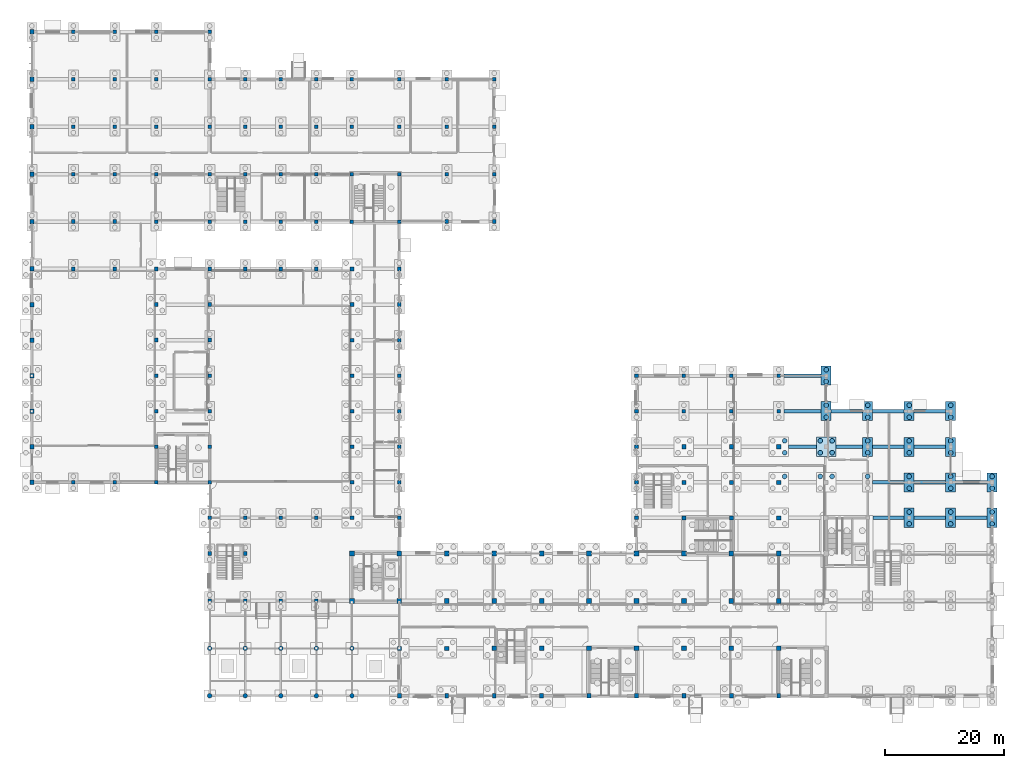
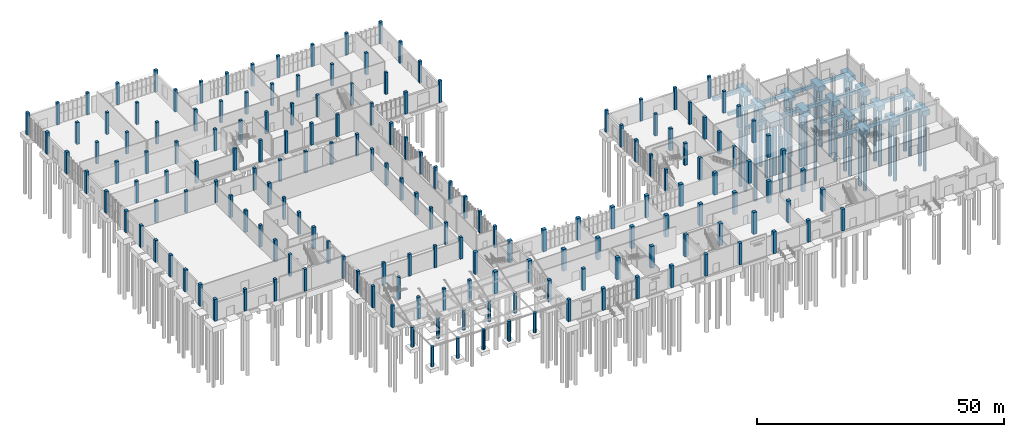
# One storey, part 5 of 69: 175 columns, 38 piles, 30 footings.
"""IFC4 building model written with IfcOpenShell, lengths in metres."""

from ifc_helpers import new_model, si_unit, direction, frame, origin, origin_2d, place, context, subcontext, project, spatial, rectangle, circle, extrude, material, material_profile, profile_set, type_object, element, save


model = new_model("IFC4")

# Units and contexts
model_context = context("Model", 3, precision=1e-05, world=origin(), true_north=direction((0.0, 1.0)))
body_context = subcontext(model_context, "Body", "Model", "MODEL_VIEW")
ifc_project = project(units=[si_unit("LENGTHUNIT", "METRE"), si_unit("AREAUNIT", "SQUARE_METRE"), si_unit("VOLUMEUNIT", "CUBIC_METRE"), si_unit("PLANEANGLEUNIT", "RADIAN"), si_unit("MASSUNIT", "GRAM", prefix="KILO")], contexts=[model_context])

# Site, building, storey
site_placement = place(None, origin())
site = spatial("IfcSite", under=ifc_project, at=site_placement, CompositionType="ELEMENT")
building_placement = place(site_placement, origin())
building = spatial("IfcBuilding", under=site, at=building_placement, Name="Solvane Community Centre", CompositionType="ELEMENT")
storey_placement = place(building_placement, origin())
storey = spatial("IfcBuildingStorey", under=building, at=storey_placement, Name="L00", CompositionType="ELEMENT", Elevation=0.0)

# Piles
ifc_material_1 = material(Name="Concrete C28/35", Category="concrete")
ifc_material_profile_1 = material_profile(ifc_material_1, circle(Radius=0.39990234375, at=origin_2d()), Name="PILE D800")
ifc_profile_set_1 = profile_set([ifc_material_profile_1], Name="Concrete C28/35")
pile_type = type_object("IfcPileType", Name="Bored Saprolite Pile D800", PredefinedType="BORED", material=ifc_profile_set_1)
for number, where, z_axis, x_axis, name in (
    (1, (133.0, 43.0, -1.47998046875), (0.0, 0.0, -1.0), (1.0, 0.0, 0.0), "Bored Pile PILE-19-F-4"),
    (2, (133.0, 47.0, -1.47998046875), (0.0, 0.0, -1.0), (1.0, 0.0, 0.0), "Bored Pile PILE-19-G-2"),
    (3, (133.0, 49.0, -1.47998046875), (0.0, 0.0, -1.0), (1.0, 0.0, 0.0), "Bored Pile PILE-19-G-4"),
    (4, (139.0, 43.0, -1.47998046875), (0.0, 0.0, -1.0), (1.0, 0.0, 0.0), "Bored Pile PILE-20-F-3"),
    (5, (141.0, 43.0, -1.47998046875), (0.0, 0.0, -1.0), (1.0, 0.0, 0.0), "Bored Pile PILE-20-F-4"),
    (6, (139.0, 47.0, -1.47998046875), (0.0, 0.0, -1.0), (1.0, 0.0, 0.0), "Bored Pile PILE-20-G-1"),
    (7, (141.0, 47.0, -1.47998046875), (0.0, 0.0, -1.0), (1.0, 0.0, 0.0), "Bored Pile PILE-20-G-2"),
    (8, (139.0, 49.0, -1.47998046875), (0.0, 0.0, -1.0), (1.0, 0.0, 0.0), "Bored Pile PILE-20-G-3"),
    (9, (141.0, 49.0, -1.47998046875), (0.0, 0.0, -1.0), (1.0, 0.0, 0.0), "Bored Pile PILE-20-G-4"),
    (10, (140.0, 53.0, -1.429931640625), (0.0, 0.0, -1.0), (1.0, 0.0, 0.0), "Bored Pile PILE-20-H-1"),
    (11, (140.0, 55.0, -1.429931640625), (0.0, 0.0, -1.0), (1.0, 0.0, 0.0), "Bored Pile PILE-20-H-2"),
    (12, (140.0, 59.0, -1.429931640625), (0.0, 0.0, -1.0), (1.0, 0.0, 0.0), "Bored Pile PILE-20-J-1"),
    (13, (140.0, 61.0, -1.429931640625), (0.0, 0.0, -1.0), (1.0, 0.0, 0.0), "Bored Pile PILE-20-J-2"),
    (14, (147.0, 43.0, -1.3798828125), (0.0, 0.0, -1.0), (1.0, 0.0, 0.0), "Bored Pile PILE-21-F-2"),
    (15, (147.0, 47.0, -1.3798828125), (0.0, 0.0, -1.0), (1.0, 0.0, 0.0), "Bored Pile PILE-21-G-1"),
    (16, (147.0, 49.0, -1.3798828125), (0.0, 0.0, -1.0), (1.0, 0.0, 0.0), "Bored Pile PILE-21-G-2"),
    (17, (147.0, 53.0, -1.3798828125), (0.0, 0.0, -1.0), (1.0, 0.0, 0.0), "Bored Pile PILE-21-H-1"),
    (18, (147.0, 55.0, -1.3798828125), (0.0, 0.0, -1.0), (1.0, 0.0, 0.0), "Bored Pile PILE-21-H-2"),
    (19, (154.0, 35.0, -1.429931640625), (0.0, 0.0, -1.0), (1.0, 0.0, 0.0), "Bored Pile PILE-22-E-1"),
    (20, (154.0, 37.0, -1.429931640625), (0.0, 0.0, -1.0), (1.0, 0.0, 0.0), "Bored Pile PILE-22-E-2"),
    (21, (154.0, 41.0, -1.3798828125), (0.0, 0.0, -1.0), (1.0, 0.0, 0.0), "Bored Pile PILE-22-F-1"),
    (22, (154.0, 43.0, -1.3798828125), (0.0, 0.0, -1.0), (1.0, 0.0, 0.0), "Bored Pile PILE-22-F-2"),
    (23, (154.0, 47.0, -1.3798828125), (0.0, 0.0, -1.0), (1.0, 0.0, 0.0), "Bored Pile PILE-22-G-1"),
    (24, (154.0, 49.0, -1.3798828125), (0.0, 0.0, -1.0), (1.0, 0.0, 0.0), "Bored Pile PILE-22-G-2"),
    (25, (154.0, 53.0, -1.3798828125), (0.0, 0.0, -1.0), (1.0, 0.0, 0.0), "Bored Pile PILE-22-H-1"),
    (26, (154.0, 55.0, -1.3798828125), (0.0, 0.0, -1.0), (1.0, 0.0, 0.0), "Bored Pile PILE-22-H-2"),
    (27, (161.0, 35.0, -1.429931640625), (0.0, 0.0, -1.0), (1.0, 0.0, 0.0), "Bored Pile PILE-23-E-1"),
    (28, (161.0, 37.0, -1.429931640625), (0.0, 0.0, -1.0), (1.0, 0.0, 0.0), "Bored Pile PILE-23-E-2"),
    (29, (161.0, 41.0, -1.3798828125), (0.0, 0.0, -1.0), (1.0, 0.0, 0.0), "Bored Pile PILE-23-F-1"),
    (30, (161.0, 43.0, -1.3798828125), (0.0, 0.0, -1.0), (1.0, 0.0, 0.0), "Bored Pile PILE-23-F-2"),
    (31, (161.0, 47.0, -1.3798828125), (0.0, 0.0, -1.0), (1.0, 0.0, 0.0), "Bored Pile PILE-23-G-1"),
    (32, (161.0, 49.0, -1.3798828125), (0.0, 0.0, -1.0), (1.0, 0.0, 0.0), "Bored Pile PILE-23-G-2"),
    (33, (161.0, 53.0, -1.3798828125), (0.0, 0.0, -1.0), (1.0, 0.0, 0.0), "Bored Pile PILE-23-H-1"),
    (34, (161.0, 55.0, -1.3798828125), (0.0, 0.0, -1.0), (1.0, 0.0, 0.0), "Bored Pile PILE-23-H-2"),
    (35, (168.0, 35.0, -1.429931640625), (0.0, 0.0, -1.0), (1.0, 0.0, 0.0), "Bored Pile PILE-24-E-1"),
    (36, (168.0, 37.0, -1.429931640625), (0.0, 0.0, -1.0), (1.0, 0.0, 0.0), "Bored Pile PILE-24-E-2"),
    (37, (168.0, 41.0, -1.3798828125), (0.0, 0.0, -1.0), (1.0, 0.0, 0.0), "Bored Pile PILE-24-F-1"),
    (38, (168.0, 43.0, -1.3798828125), (0.0, 0.0, -1.0), (1.0, 0.0, 0.0), "Bored Pile PILE-24-F-2"),
):
    element("IfcPile", number, at=place(storey_placement, frame(where, z_axis=z_axis, x_axis=x_axis)), inside=storey, type_object=pile_type, Name=name, PredefinedType="BORED", context=body_context, shape_type="SweptSolid", body=[
        extrude(circle(Radius=0.39990234375, at=origin_2d()), origin(), (0.0, 0.0, 1.0), 14.0),
    ])

# Footings
footing_type_1 = type_object("IfcFootingType", Name="Pile Cap 170x320x120cm", PredefinedType="PILE_CAP", material=ifc_material_1)
for number, where, z_axis, x_axis, name in (
    (39, (147.0, 48.0, -1.47998046875), (0.0, 0.0, 1.0), (1.0, 0.0, 0.0), "Pile Cap 21G"),
    (40, (147.0, 54.0, -1.47998046875), (0.0, 0.0, 1.0), (1.0, 0.0, 0.0), "Pile Cap 21H"),
    (41, (154.0, 42.0, -1.47998046875), (0.0, 0.0, 1.0), (1.0, 0.0, 0.0), "Pile Cap 22F"),
    (42, (154.0, 48.0, -1.47998046875), (0.0, 0.0, 1.0), (1.0, 0.0, 0.0), "Pile Cap 22G"),
    (43, (154.0, 54.0, -1.47998046875), (0.0, 0.0, 1.0), (1.0, 0.0, 0.0), "Pile Cap 22H"),
    (44, (161.0, 42.0, -1.47998046875), (0.0, 0.0, 1.0), (1.0, 0.0, 0.0), "Pile Cap 23F"),
    (45, (161.0, 48.0, -1.47998046875), (0.0, 0.0, 1.0), (1.0, 0.0, 0.0), "Pile Cap 23G"),
    (46, (161.0, 54.0, -1.47998046875), (0.0, 0.0, 1.0), (1.0, 0.0, 0.0), "Pile Cap 23H"),
    (47, (168.0, 42.0, -1.47998046875), (0.0, 0.0, 1.0), (1.0, 0.0, 0.0), "Pile Cap 24F"),
):
    element("IfcFooting", number, at=place(storey_placement, frame(where, z_axis=z_axis, x_axis=x_axis)), inside=storey, type_object=footing_type_1, Name=name, PredefinedType="PILE_CAP", context=body_context, shape_type="SweptSolid", body=[
        extrude(rectangle(XDim=1.699951171875, YDim=3.199951171875, at=origin_2d()), origin(), (0.0, 0.0, 1.0), 1.199951171875),
    ])
footing_type_2 = type_object("IfcFootingType", Name="Pile Cap 170x320x125cm", PredefinedType="PILE_CAP", material=ifc_material_1)
for number, where, z_axis, x_axis, name in (
    (48, (140.0, 54.0, -1.530029296875), (0.0, 0.0, 1.0), (1.0, 0.0, 0.0), "Pile Cap 20H"),
    (49, (140.0, 60.0, -1.530029296875), (0.0, 0.0, 1.0), (1.0, 0.0, 0.0), "Pile Cap 20J"),
):
    element("IfcFooting", number, at=place(storey_placement, frame(where, z_axis=z_axis, x_axis=x_axis)), inside=storey, type_object=footing_type_2, Name=name, PredefinedType="PILE_CAP", context=body_context, shape_type="SweptSolid", body=[
        extrude(rectangle(XDim=1.699951171875, YDim=3.199951171875, at=origin_2d()), origin(), (0.0, 0.0, 1.0), 1.25),
    ])
footing_type_3 = type_object("IfcFootingType", Name="Pile Cap 170x330x125cm", PredefinedType="PILE_CAP", material=ifc_material_1)
for number, where, z_axis, x_axis, name in (
    (50, (154.0, 36.0, -1.530029296875), (0.0, 0.0, 1.0), (1.0, 0.0, 0.0), "Pile Cap 22E"),
    (51, (161.0, 36.0, -1.530029296875), (0.0, 0.0, 1.0), (1.0, 0.0, 0.0), "Pile Cap 23E"),
    (52, (168.0, 36.0, -1.530029296875), (0.0, 0.0, 1.0), (1.0, 0.0, 0.0), "Pile Cap 24E"),
):
    element("IfcFooting", number, at=place(storey_placement, frame(where, z_axis=z_axis, x_axis=x_axis)), inside=storey, type_object=footing_type_3, Name=name, PredefinedType="PILE_CAP", context=body_context, shape_type="SweptSolid", body=[
        extrude(rectangle(XDim=1.699951171875, YDim=3.300048828125, at=origin_2d()), origin(), (0.0, 0.0, 1.0), 1.25),
    ])
footing_type_4 = type_object("IfcFootingType", Name="Pile Cap 330x330x130cm", PredefinedType="PILE_CAP", material=ifc_material_1)
footing_1_placement = place(storey_placement, frame((140.0, 48.0, -1.580078125), z_axis=(0.0, 0.0, 1.0), x_axis=(1.0, 0.0, 0.0)))
element("IfcFooting", 53, at=footing_1_placement, inside=storey, type_object=footing_type_4, Name="Pile Cap 20G", PredefinedType="PILE_CAP", context=body_context, shape_type="SweptSolid", body=[
    extrude(rectangle(XDim=3.300048828125, YDim=3.300048828125, at=origin_2d()), origin(), (0.0, 0.0, 1.0), 1.300048828125),
])
footing_type_5 = type_object("IfcFootingType", Name="Seismic Ground Tie Beam 600x800 L45dm", PredefinedType="FOOTING_BEAM", material=ifc_material_1)
footing_2_placement = place(storey_placement, frame((143.89990234375, 48.0, -1.080078125), z_axis=(0.0, 0.0, 1.0), x_axis=(1.0, 0.0, 0.0)))
element("IfcFooting", 54, at=footing_2_placement, inside=storey, type_object=footing_type_5, Name="Ground Tie Beam FTG-GTB-X-076", PredefinedType="FOOTING_BEAM", context=body_context, shape_type="SweptSolid", body=[
    extrude(rectangle(XDim=4.5, YDim=0.60009765625, at=origin_2d()), origin(), (0.0, 0.0, 1.0), 0.800048828125),
])
footing_type_6 = type_object("IfcFootingType", Name="Seismic Ground Tie Beam 600x800 L47dm", PredefinedType="FOOTING_BEAM", material=ifc_material_1)
footing_3_placement = place(storey_placement, frame((136.0, 48.0, -1.080078125), z_axis=(0.0, 0.0, 1.0), x_axis=(1.0, 0.0, 0.0)))
element("IfcFooting", 55, at=footing_3_placement, inside=storey, type_object=footing_type_6, Name="Ground Tie Beam FTG-GTB-X-075", PredefinedType="FOOTING_BEAM", context=body_context, shape_type="SweptSolid", body=[
    extrude(rectangle(XDim=4.699951171875, YDim=0.60009765625, at=origin_2d()), origin(), (0.0, 0.0, 1.0), 0.800048828125),
])
footing_type_7 = type_object("IfcFootingType", Name="Seismic Ground Tie Beam 600x800 L52dm", PredefinedType="FOOTING_BEAM", material=ifc_material_1)
footing_4_placement = place(storey_placement, frame((150.52490234375, 36.0, -1.080078125), z_axis=(0.0, 0.0, 1.0), x_axis=(1.0, 0.0, 0.0)))
element("IfcFooting", 56, at=footing_4_placement, inside=storey, type_object=footing_type_7, Name="Ground Tie Beam FTG-GTB-X-056", PredefinedType="FOOTING_BEAM", context=body_context, shape_type="SweptSolid", body=[
    extrude(rectangle(XDim=5.25, YDim=0.60009765625, at=origin_2d()), origin(), (0.0, 0.0, 1.0), 0.800048828125),
])
footing_type_8 = type_object("IfcFootingType", Name="Seismic Ground Tie Beam 600x800 L53dm", PredefinedType="FOOTING_BEAM", material=ifc_material_1)
for number, where, z_axis, x_axis, name in (
    (57, (157.5, 36.0, -1.080078125), (0.0, 0.0, 1.0), (1.0, 0.0, 0.0), "Ground Tie Beam FTG-GTB-X-057"),
    (58, (164.5, 36.0, -1.080078125), (0.0, 0.0, 1.0), (1.0, 0.0, 0.0), "Ground Tie Beam FTG-GTB-X-058"),
    (59, (150.5, 42.0, -1.080078125), (0.0, 0.0, 1.0), (1.0, 0.0, 0.0), "Ground Tie Beam FTG-GTB-X-068"),
    (60, (157.5, 42.0, -1.080078125), (0.0, 0.0, 1.0), (1.0, 0.0, 0.0), "Ground Tie Beam FTG-GTB-X-069"),
    (61, (164.5, 42.0, -1.080078125), (0.0, 0.0, 1.0), (1.0, 0.0, 0.0), "Ground Tie Beam FTG-GTB-X-070"),
    (62, (150.5, 48.0, -1.080078125), (0.0, 0.0, 1.0), (1.0, 0.0, 0.0), "Ground Tie Beam FTG-GTB-X-077"),
    (63, (157.5, 48.0, -1.080078125), (0.0, 0.0, 1.0), (1.0, 0.0, 0.0), "Ground Tie Beam FTG-GTB-X-078"),
    (64, (143.5, 54.0, -1.080078125), (0.0, 0.0, 1.0), (1.0, 0.0, 0.0), "Ground Tie Beam FTG-GTB-X-085"),
    (65, (150.5, 54.0, -1.080078125), (0.0, 0.0, 1.0), (1.0, 0.0, 0.0), "Ground Tie Beam FTG-GTB-X-086"),
    (66, (157.5, 54.0, -1.080078125), (0.0, 0.0, 1.0), (1.0, 0.0, 0.0), "Ground Tie Beam FTG-GTB-X-087"),
):
    element("IfcFooting", number, at=place(storey_placement, frame(where, z_axis=z_axis, x_axis=x_axis)), inside=storey, type_object=footing_type_8, Name=name, PredefinedType="FOOTING_BEAM", context=body_context, shape_type="SweptSolid", body=[
        extrude(rectangle(XDim=5.300048828125, YDim=0.60009765625, at=origin_2d()), origin(), (0.0, 0.0, 1.0), 0.800048828125),
    ])
footing_type_9 = type_object("IfcFootingType", Name="Seismic Ground Tie Beam 600x800 L63dm", PredefinedType="FOOTING_BEAM", material=ifc_material_1)
for number, where, z_axis, x_axis, name in (
    (67, (136.0, 54.0, -1.080078125), (0.0, 0.0, 1.0), (1.0, 0.0, 0.0), "Ground Tie Beam FTG-GTB-X-084"),
    (68, (136.0, 60.0, -1.080078125), (0.0, 0.0, 1.0), (1.0, 0.0, 0.0), "Ground Tie Beam FTG-GTB-X-093"),
):
    element("IfcFooting", number, at=place(storey_placement, frame(where, z_axis=z_axis, x_axis=x_axis)), inside=storey, type_object=footing_type_9, Name=name, PredefinedType="FOOTING_BEAM", context=body_context, shape_type="SweptSolid", body=[
        extrude(rectangle(XDim=6.300048828125, YDim=0.60009765625, at=origin_2d()), origin(), (0.0, 0.0, 1.0), 0.800048828125),
    ])

# Columns
ifc_material_2 = material(Name="Precast concrete C35/45", Category="concrete")
ifc_material_profile_2 = material_profile(ifc_material_2, rectangle(XDim=0.64990234375, YDim=0.75, at=origin_2d()), Name="RC 650x750")
ifc_profile_set_2 = profile_set([ifc_material_profile_2], Name="Precast concrete C35/45")
column_type_1 = type_object("IfcColumnType", Name="Art Deco Fluted Pilaster 650x750", PredefinedType="PILASTER", material=ifc_profile_set_2)
for number, where, z_axis, x_axis, name in (
    (69, (6.0, 42.0, 0.0), (0.0, 0.0, 1.0), (1.0, 0.0, 0.0), "Column COL-L00-1-F"),
    (70, (6.0, 48.0, 0.0), (0.0, 0.0, 1.0), (1.0, 0.0, 0.0), "Column COL-L00-1-G"),
    (71, (6.0, 54.0, 0.0), (0.0, 0.0, 1.0), (1.0, 0.0, 0.0), "Column COL-L00-1-H"),
    (72, (6.0, 60.0, 0.0), (0.0, 0.0, 1.0), (1.0, 0.0, 0.0), "Column COL-L00-1-J"),
    (73, (6.0, 66.0, 0.0), (0.0, 0.0, 1.0), (1.0, 0.0, 0.0), "Column COL-L00-1-K"),
    (74, (6.0, 72.0, 0.0), (0.0, 0.0, 1.0), (1.0, 0.0, 0.0), "Column COL-L00-1-L"),
    (75, (6.0, 78.0, 0.0), (0.0, 0.0, 1.0), (1.0, 0.0, 0.0), "Column COL-L00-1-M"),
    (76, (6.0, 86.0, 0.0), (0.0, 0.0, 1.0), (1.0, 0.0, 0.0), "Column COL-L00-1-N"),
    (77, (6.0, 94.0, 0.0), (0.0, 0.0, 1.0), (1.0, 0.0, 0.0), "Column COL-L00-1-P"),
    (78, (6.0, 102.0, 0.0), (0.0, 0.0, 1.0), (1.0, 0.0, 0.0), "Column COL-L00-1-Q"),
    (79, (6.0, 110.0, 0.0), (0.0, 0.0, 1.0), (1.0, 0.0, 0.0), "Column COL-L00-1-R"),
    (80, (6.0, 118.0, 0.0), (0.0, 0.0, 1.0), (1.0, 0.0, 0.0), "Column COL-L00-1-S"),
    (81, (68.0, 6.0, 0.0), (0.0, 0.0, 1.0), (1.0, 0.0, 0.0), "Column COL-L00-11-A"),
    (82, (76.0, 6.0, 0.0), (0.0, 0.0, 1.0), (1.0, 0.0, 0.0), "Column COL-L00-12-A"),
    (83, (84.0, 6.0, 0.0), (0.0, 0.0, 1.0), (1.0, 0.0, 0.0), "Column COL-L00-13-A"),
    (84, (92.0, 6.0, 0.0), (0.0, 0.0, 1.0), (1.0, 0.0, 0.0), "Column COL-L00-14-A"),
    (85, (100.0, 6.0, 0.0), (0.0, 0.0, 1.0), (1.0, 0.0, 0.0), "Column COL-L00-15-A"),
    (86, (108.0, 6.0, 0.0), (0.0, 0.0, 1.0), (1.0, 0.0, 0.0), "Column COL-L00-16-A"),
    (87, (116.0, 6.0, 0.0), (0.0, 0.0, 1.0), (1.0, 0.0, 0.0), "Column COL-L00-17-A"),
    (88, (124.0, 6.0, 0.0), (0.0, 0.0, 1.0), (1.0, 0.0, 0.0), "Column COL-L00-18-A"),
    (89, (132.0, 6.0, 0.0), (0.0, 0.0, 1.0), (1.0, 0.0, 0.0), "Column COL-L00-19-A"),
):
    element("IfcColumn", number, at=place(storey_placement, frame(where, z_axis=z_axis, x_axis=x_axis)), inside=storey, type_object=column_type_1, Name=name, PredefinedType="PILASTER", context=body_context, shape_type="SweptSolid", body=[
        extrude(rectangle(XDim=0.64990234375, YDim=0.75, at=origin_2d()), origin(), (0.0, 0.0, 1.0), 5.39990234375),
    ])
ifc_material_3 = material(Name="Concrete C35/45", Category="concrete")
ifc_material_profile_3 = material_profile(ifc_material_3, circle(Radius=0.375, at=origin_2d()), Name="RC D750")
ifc_profile_set_3 = profile_set([ifc_material_profile_3], Name="Concrete C35/45")
column_type_2 = type_object("IfcColumnType", Name="Canopy Circular Column D750", PredefinedType="COLUMN", material=ifc_profile_set_3)
for number, where, z_axis, x_axis, name in (
    (90, (36.0, 6.0, 0.0), (0.0, 0.0, 1.0), (1.0, 0.0, 0.0), "Canopy Column 6A"),
    (91, (36.0, 14.0, 0.0), (0.0, 0.0, 1.0), (1.0, 0.0, 0.0), "Canopy Column 6B"),
    (92, (42.0, 6.0, 0.0), (0.0, 0.0, 1.0), (1.0, 0.0, 0.0), "Canopy Column 7A"),
    (93, (42.0, 14.0, 0.0), (0.0, 0.0, 1.0), (1.0, 0.0, 0.0), "Canopy Column 7B"),
    (94, (48.0, 6.0, 0.0), (0.0, 0.0, 1.0), (1.0, 0.0, 0.0), "Canopy Column 8A"),
    (95, (48.0, 14.0, 0.0), (0.0, 0.0, 1.0), (1.0, 0.0, 0.0), "Canopy Column 8B"),
    (96, (54.0, 6.0, 0.0), (0.0, 0.0, 1.0), (1.0, 0.0, 0.0), "Canopy Column 9A"),
    (97, (54.0, 14.0, 0.0), (0.0, 0.0, 1.0), (1.0, 0.0, 0.0), "Canopy Column 9B"),
    (98, (60.0, 6.0, 0.0), (0.0, 0.0, 1.0), (1.0, 0.0, 0.0), "Canopy Column 10A"),
    (99, (60.0, 14.0, 0.0), (0.0, 0.0, 1.0), (1.0, 0.0, 0.0), "Canopy Column 10B"),
):
    element("IfcColumn", number, at=place(storey_placement, frame(where, z_axis=z_axis, x_axis=x_axis)), inside=storey, type_object=column_type_2, Name=name, PredefinedType="COLUMN", context=body_context, shape_type="SweptSolid", body=[
        extrude(circle(Radius=0.375, at=origin_2d()), origin(), (0.0, 0.0, 1.0), 4.919921875),
    ])
ifc_material_profile_4 = material_profile(ifc_material_3, rectangle(XDim=0.60009765625, YDim=0.60009765625, at=origin_2d()), Name="RC 600x600")
ifc_profile_set_4 = profile_set([ifc_material_profile_4], Name="Concrete C35/45")
column_type_3 = type_object("IfcColumnType", Name="RC Column 600x600", PredefinedType="COLUMN", material=ifc_profile_set_4)
for number, where, z_axis, x_axis, name in (
    (100, (27.0, 86.0, 0.0), (0.0, 0.0, 1.0), (1.0, 0.0, 0.0), "Column COL-L00-5-N"),
    (101, (27.0, 94.0, 0.0), (0.0, 0.0, 1.0), (1.0, 0.0, 0.0), "Column COL-L00-5-P"),
    (102, (27.0, 102.0, 0.0), (0.0, 0.0, 1.0), (1.0, 0.0, 0.0), "Column COL-L00-5-Q"),
    (103, (27.0, 110.0, 0.0), (0.0, 0.0, 1.0), (1.0, 0.0, 0.0), "Column COL-L00-5-R"),
    (104, (36.0, 86.0, 0.0), (0.0, 0.0, 1.0), (1.0, 0.0, 0.0), "Column COL-L00-6-N"),
    (105, (36.0, 94.0, 0.0), (0.0, 0.0, 1.0), (1.0, 0.0, 0.0), "Column COL-L00-6-P"),
    (106, (36.0, 102.0, 0.0), (0.0, 0.0, 1.0), (1.0, 0.0, 0.0), "Column COL-L00-6-Q"),
    (107, (36.0, 110.0, 0.0), (0.0, 0.0, 1.0), (1.0, 0.0, 0.0), "Column COL-L00-6-R"),
    (108, (42.0, 86.0, 0.0), (0.0, 0.0, 1.0), (1.0, 0.0, 0.0), "Column COL-L00-7-N"),
    (109, (42.0, 94.0, 0.0), (0.0, 0.0, 1.0), (1.0, 0.0, 0.0), "Column COL-L00-7-P"),
    (110, (42.0, 102.0, 0.0), (0.0, 0.0, 1.0), (1.0, 0.0, 0.0), "Column COL-L00-7-Q"),
    (111, (42.0, 110.0, 0.0), (0.0, 0.0, 1.0), (1.0, 0.0, 0.0), "Column COL-L00-7-R"),
    (112, (48.0, 86.0, 0.0), (0.0, 0.0, 1.0), (1.0, 0.0, 0.0), "Column COL-L00-8-N"),
    (113, (48.0, 94.0, 0.0), (0.0, 0.0, 1.0), (1.0, 0.0, 0.0), "Column COL-L00-8-P"),
    (114, (48.0, 102.0, 0.0), (0.0, 0.0, 1.0), (1.0, 0.0, 0.0), "Column COL-L00-8-Q"),
    (115, (48.0, 110.0, 0.0), (0.0, 0.0, 1.0), (1.0, 0.0, 0.0), "Column COL-L00-8-R"),
    (116, (54.0, 86.0, 0.0), (0.0, 0.0, 1.0), (1.0, 0.0, 0.0), "Column COL-L00-9-N"),
    (117, (54.0, 94.0, 0.0), (0.0, 0.0, 1.0), (1.0, 0.0, 0.0), "Column COL-L00-9-P"),
    (118, (54.0, 102.0, 0.0), (0.0, 0.0, 1.0), (1.0, 0.0, 0.0), "Column COL-L00-9-Q"),
    (119, (54.0, 110.0, 0.0), (0.0, 0.0, 1.0), (1.0, 0.0, 0.0), "Column COL-L00-9-R"),
    (120, (60.0, 86.0, 0.0), (0.0, 0.0, 1.0), (1.0, 0.0, 0.0), "Column COL-L00-10-N"),
    (121, (60.0, 94.0, 0.0), (0.0, 0.0, 1.0), (1.0, 0.0, 0.0), "Column COL-L00-10-P"),
    (122, (60.0, 102.0, 0.0), (0.0, 0.0, 1.0), (1.0, 0.0, 0.0), "Column COL-L00-10-Q"),
    (123, (60.0, 110.0, 0.0), (0.0, 0.0, 1.0), (1.0, 0.0, 0.0), "Column COL-L00-10-R"),
    (124, (68.0, 86.0, 0.0), (0.0, 0.0, 1.0), (1.0, 0.0, 0.0), "Column COL-L00-11-N"),
    (125, (68.0, 94.0, 0.0), (0.0, 0.0, 1.0), (1.0, 0.0, 0.0), "Column COL-L00-11-P"),
    (126, (68.0, 102.0, 0.0), (0.0, 0.0, 1.0), (1.0, 0.0, 0.0), "Column COL-L00-11-Q"),
    (127, (68.0, 110.0, 0.0), (0.0, 0.0, 1.0), (1.0, 0.0, 0.0), "Column COL-L00-11-R"),
    (128, (116.0, 54.0, 0.0), (0.0, 0.0, 1.0), (1.0, 0.0, 0.0), "Column COL-L00-17-H"),
    (129, (116.0, 60.0, 0.0), (0.0, 0.0, 1.0), (1.0, 0.0, 0.0), "Column COL-L00-17-J"),
    (130, (124.0, 54.0, 0.0), (0.0, 0.0, 1.0), (1.0, 0.0, 0.0), "Column COL-L00-18-H"),
    (131, (124.0, 60.0, 0.0), (0.0, 0.0, 1.0), (1.0, 0.0, 0.0), "Column COL-L00-18-J"),
    (132, (132.0, 54.0, 0.0), (0.0, 0.0, 1.0), (1.0, 0.0, 0.0), "Column COL-L00-19-H"),
    (133, (132.0, 60.0, 0.0), (0.0, 0.0, 1.0), (1.0, 0.0, 0.0), "Column COL-L00-19-J"),
):
    element("IfcColumn", number, at=place(storey_placement, frame(where, z_axis=z_axis, x_axis=x_axis)), inside=storey, type_object=column_type_3, Name=name, PredefinedType="COLUMN", context=body_context, shape_type="SweptSolid", body=[
        extrude(rectangle(XDim=0.60009765625, YDim=0.60009765625, at=origin_2d()), origin(), (0.0, 0.0, 1.0), 5.39990234375),
    ])
ifc_material_profile_5 = material_profile(ifc_material_3, rectangle(XDim=0.610107421875, YDim=0.610107421875, at=origin_2d()), Name="RC 610x610")
ifc_profile_set_5 = profile_set([ifc_material_profile_5], Name="Concrete C35/45")
column_type_4 = type_object("IfcColumnType", Name="RC Column 610x610", PredefinedType="COLUMN", material=ifc_profile_set_5)
for number, where, z_axis, x_axis, name in (
    (134, (13.0, 86.0, 0.0), (0.0, 0.0, 1.0), (1.0, 0.0, 0.0), "Column COL-L00-2-N"),
    (135, (13.0, 94.0, 0.0), (0.0, 0.0, 1.0), (1.0, 0.0, 0.0), "Column COL-L00-2-P"),
    (136, (13.0, 102.0, 0.0), (0.0, 0.0, 1.0), (1.0, 0.0, 0.0), "Column COL-L00-2-Q"),
    (137, (13.0, 110.0, 0.0), (0.0, 0.0, 1.0), (1.0, 0.0, 0.0), "Column COL-L00-2-R"),
    (138, (13.0, 118.0, 0.0), (0.0, 0.0, 1.0), (1.0, 0.0, 0.0), "Column COL-L00-2-S"),
    (139, (20.0, 86.0, 0.0), (0.0, 0.0, 1.0), (1.0, 0.0, 0.0), "Column COL-L00-4-N"),
    (140, (20.0, 94.0, 0.0), (0.0, 0.0, 1.0), (1.0, 0.0, 0.0), "Column COL-L00-4-P"),
    (141, (20.0, 102.0, 0.0), (0.0, 0.0, 1.0), (1.0, 0.0, 0.0), "Column COL-L00-4-Q"),
    (142, (20.0, 110.0, 0.0), (0.0, 0.0, 1.0), (1.0, 0.0, 0.0), "Column COL-L00-4-R"),
    (143, (20.0, 118.0, 0.0), (0.0, 0.0, 1.0), (1.0, 0.0, 0.0), "Column COL-L00-4-S"),
    (144, (27.0, 118.0, 0.0), (0.0, 0.0, 1.0), (1.0, 0.0, 0.0), "Column COL-L00-5-S"),
    (145, (36.0, 22.0, 0.0), (0.0, 0.0, 1.0), (1.0, 0.0, 0.0), "Column COL-L00-6-C"),
    (146, (36.0, 30.0, 0.0), (0.0, 0.0, 1.0), (1.0, 0.0, 0.0), "Column COL-L00-6-D"),
    (147, (36.0, 36.0, 0.0), (0.0, 0.0, 1.0), (1.0, 0.0, 0.0), "Column COL-L00-6-E"),
    (148, (36.0, 118.0, 0.0), (0.0, 0.0, 1.0), (1.0, 0.0, 0.0), "Column COL-L00-6-S"),
    (149, (42.0, 22.0, 0.0), (0.0, 0.0, 1.0), (1.0, 0.0, 0.0), "Column COL-L00-7-C"),
    (150, (42.0, 30.0, 0.0), (0.0, 0.0, 1.0), (1.0, 0.0, 0.0), "Column COL-L00-7-D"),
    (151, (42.0, 36.0, 0.0), (0.0, 0.0, 1.0), (1.0, 0.0, 0.0), "Column COL-L00-7-E"),
    (152, (42.0, 78.0, 0.0), (0.0, 0.0, 1.0), (1.0, 0.0, 0.0), "Column COL-L00-7-M"),
    (153, (48.0, 22.0, 0.0), (0.0, 0.0, 1.0), (1.0, 0.0, 0.0), "Column COL-L00-8-C"),
    (154, (48.0, 36.0, 0.0), (0.0, 0.0, 1.0), (1.0, 0.0, 0.0), "Column COL-L00-8-E"),
    (155, (48.0, 78.0, 0.0), (0.0, 0.0, 1.0), (1.0, 0.0, 0.0), "Column COL-L00-8-M"),
    (156, (54.0, 22.0, 0.0), (0.0, 0.0, 1.0), (1.0, 0.0, 0.0), "Column COL-L00-9-C"),
    (157, (54.0, 36.0, 0.0), (0.0, 0.0, 1.0), (1.0, 0.0, 0.0), "Column COL-L00-9-E"),
    (158, (54.0, 78.0, 0.0), (0.0, 0.0, 1.0), (1.0, 0.0, 0.0), "Column COL-L00-9-M"),
    (159, (60.0, 36.0, 0.0), (0.0, 0.0, 1.0), (1.0, 0.0, 0.0), "Column COL-L00-10-E"),
    (160, (60.0, 42.0, 0.0), (0.0, 0.0, 1.0), (1.0, 0.0, 0.0), "Column COL-L00-10-F"),
    (161, (60.0, 48.0, 0.0), (0.0, 0.0, 1.0), (1.0, 0.0, 0.0), "Column COL-L00-10-G"),
    (162, (60.0, 54.0, 0.0), (0.0, 0.0, 1.0), (1.0, 0.0, 0.0), "Column COL-L00-10-H"),
    (163, (60.0, 60.0, 0.0), (0.0, 0.0, 1.0), (1.0, 0.0, 0.0), "Column COL-L00-10-J"),
    (164, (60.0, 66.0, 0.0), (0.0, 0.0, 1.0), (1.0, 0.0, 0.0), "Column COL-L00-10-K"),
    (165, (60.0, 72.0, 0.0), (0.0, 0.0, 1.0), (1.0, 0.0, 0.0), "Column COL-L00-10-L"),
    (166, (60.0, 78.0, 0.0), (0.0, 0.0, 1.0), (1.0, 0.0, 0.0), "Column COL-L00-10-M"),
    (167, (68.0, 36.0, 0.0), (0.0, 0.0, 1.0), (1.0, 0.0, 0.0), "Column COL-L00-11-E"),
    (168, (68.0, 42.0, 0.0), (0.0, 0.0, 1.0), (1.0, 0.0, 0.0), "Column COL-L00-11-F"),
    (169, (68.0, 48.0, 0.0), (0.0, 0.0, 1.0), (1.0, 0.0, 0.0), "Column COL-L00-11-G"),
    (170, (68.0, 54.0, 0.0), (0.0, 0.0, 1.0), (1.0, 0.0, 0.0), "Column COL-L00-11-H"),
    (171, (68.0, 60.0, 0.0), (0.0, 0.0, 1.0), (1.0, 0.0, 0.0), "Column COL-L00-11-J"),
    (172, (68.0, 66.0, 0.0), (0.0, 0.0, 1.0), (1.0, 0.0, 0.0), "Column COL-L00-11-K"),
    (173, (68.0, 72.0, 0.0), (0.0, 0.0, 1.0), (1.0, 0.0, 0.0), "Column COL-L00-11-L"),
    (174, (68.0, 78.0, 0.0), (0.0, 0.0, 1.0), (1.0, 0.0, 0.0), "Column COL-L00-11-M"),
    (175, (76.0, 86.0, 0.0), (0.0, 0.0, 1.0), (1.0, 0.0, 0.0), "Column COL-L00-12-N"),
    (176, (76.0, 94.0, 0.0), (0.0, 0.0, 1.0), (1.0, 0.0, 0.0), "Column COL-L00-12-P"),
    (177, (76.0, 102.0, 0.0), (0.0, 0.0, 1.0), (1.0, 0.0, 0.0), "Column COL-L00-12-Q"),
    (178, (76.0, 110.0, 0.0), (0.0, 0.0, 1.0), (1.0, 0.0, 0.0), "Column COL-L00-12-R"),
    (179, (84.0, 86.0, 0.0), (0.0, 0.0, 1.0), (1.0, 0.0, 0.0), "Column COL-L00-13-N"),
    (180, (84.0, 94.0, 0.0), (0.0, 0.0, 1.0), (1.0, 0.0, 0.0), "Column COL-L00-13-P"),
    (181, (84.0, 102.0, 0.0), (0.0, 0.0, 1.0), (1.0, 0.0, 0.0), "Column COL-L00-13-Q"),
    (182, (84.0, 110.0, 0.0), (0.0, 0.0, 1.0), (1.0, 0.0, 0.0), "Column COL-L00-13-R"),
    (183, (108.0, 36.0, 0.0), (0.0, 0.0, 1.0), (1.0, 0.0, 0.0), "Column COL-L00-16-E"),
    (184, (108.0, 42.0, 0.0), (0.0, 0.0, 1.0), (1.0, 0.0, 0.0), "Column COL-L00-16-F"),
    (185, (108.0, 48.0, 0.0), (0.0, 0.0, 1.0), (1.0, 0.0, 0.0), "Column COL-L00-16-G"),
    (186, (108.0, 54.0, 0.0), (0.0, 0.0, 1.0), (1.0, 0.0, 0.0), "Column COL-L00-16-H"),
    (187, (108.0, 60.0, 0.0), (0.0, 0.0, 1.0), (1.0, 0.0, 0.0), "Column COL-L00-16-J"),
):
    element("IfcColumn", number, at=place(storey_placement, frame(where, z_axis=z_axis, x_axis=x_axis)), inside=storey, type_object=column_type_4, Name=name, PredefinedType="COLUMN", context=body_context, shape_type="SweptSolid", body=[
        extrude(rectangle(XDim=0.610107421875, YDim=0.610107421875, at=origin_2d()), origin(), (0.0, 0.0, 1.0), 5.39990234375),
    ])
ifc_material_profile_6 = material_profile(ifc_material_3, rectangle(XDim=0.6298828125, YDim=0.6298828125, at=origin_2d()), Name="RC 630x630")
ifc_profile_set_6 = profile_set([ifc_material_profile_6], Name="Concrete C35/45")
column_type_5 = type_object("IfcColumnType", Name="RC Column 630x630", PredefinedType="COLUMN", material=ifc_profile_set_6)
for number, where, z_axis, x_axis, name in (
    (188, (13.0, 42.0, 0.0), (0.0, 0.0, 1.0), (1.0, 0.0, 0.0), "Column COL-L00-2-F"),
    (189, (13.0, 78.0, 0.0), (0.0, 0.0, 1.0), (1.0, 0.0, 0.0), "Column COL-L00-2-M"),
    (190, (20.0, 42.0, 0.0), (0.0, 0.0, 1.0), (1.0, 0.0, 0.0), "Column COL-L00-4-F"),
    (191, (20.0, 78.0, 0.0), (0.0, 0.0, 1.0), (1.0, 0.0, 0.0), "Column COL-L00-4-M"),
    (192, (27.0, 42.0, 0.0), (0.0, 0.0, 1.0), (1.0, 0.0, 0.0), "Column COL-L00-5-F"),
    (193, (27.0, 48.0, 0.0), (0.0, 0.0, 1.0), (1.0, 0.0, 0.0), "Column COL-L00-5-G"),
    (194, (27.0, 54.0, 0.0), (0.0, 0.0, 1.0), (1.0, 0.0, 0.0), "Column COL-L00-5-H"),
    (195, (27.0, 60.0, 0.0), (0.0, 0.0, 1.0), (1.0, 0.0, 0.0), "Column COL-L00-5-J"),
    (196, (27.0, 66.0, 0.0), (0.0, 0.0, 1.0), (1.0, 0.0, 0.0), "Column COL-L00-5-K"),
    (197, (27.0, 72.0, 0.0), (0.0, 0.0, 1.0), (1.0, 0.0, 0.0), "Column COL-L00-5-L"),
    (198, (27.0, 78.0, 0.0), (0.0, 0.0, 1.0), (1.0, 0.0, 0.0), "Column COL-L00-5-M"),
    (199, (36.0, 42.0, 0.0), (0.0, 0.0, 1.0), (1.0, 0.0, 0.0), "Column COL-L00-6-F"),
    (200, (36.0, 48.0, 0.0), (0.0, 0.0, 1.0), (1.0, 0.0, 0.0), "Column COL-L00-6-G"),
    (201, (36.0, 54.0, 0.0), (0.0, 0.0, 1.0), (1.0, 0.0, 0.0), "Column COL-L00-6-H"),
    (202, (36.0, 60.0, 0.0), (0.0, 0.0, 1.0), (1.0, 0.0, 0.0), "Column COL-L00-6-J"),
    (203, (36.0, 66.0, 0.0), (0.0, 0.0, 1.0), (1.0, 0.0, 0.0), "Column COL-L00-6-K"),
    (204, (36.0, 72.0, 0.0), (0.0, 0.0, 1.0), (1.0, 0.0, 0.0), "Column COL-L00-6-L"),
    (205, (36.0, 78.0, 0.0), (0.0, 0.0, 1.0), (1.0, 0.0, 0.0), "Column COL-L00-6-M"),
):
    element("IfcColumn", number, at=place(storey_placement, frame(where, z_axis=z_axis, x_axis=x_axis)), inside=storey, type_object=column_type_5, Name=name, PredefinedType="COLUMN", context=body_context, shape_type="SweptSolid", body=[
        extrude(rectangle(XDim=0.6298828125, YDim=0.6298828125, at=origin_2d()), origin(), (0.0, 0.0, 1.0), 5.39990234375),
    ])
ifc_material_profile_7 = material_profile(ifc_material_3, rectangle(XDim=0.699951171875, YDim=0.699951171875, at=origin_2d()), Name="RC 700x700")
ifc_profile_set_7 = profile_set([ifc_material_profile_7], Name="Concrete C35/45")
column_type_6 = type_object("IfcColumnType", Name="RC Column 700x700", PredefinedType="COLUMN", material=ifc_profile_set_7)
for number, where, z_axis, x_axis, name in (
    (206, (68.0, 14.0, 0.0), (0.0, 0.0, 1.0), (1.0, 0.0, 0.0), "Column COL-L00-11-B"),
    (207, (76.0, 14.0, 0.0), (0.0, 0.0, 1.0), (1.0, 0.0, 0.0), "Column COL-L00-12-B"),
    (208, (116.0, 36.0, 0.0), (0.0, 0.0, 1.0), (1.0, 0.0, 0.0), "Column COL-L00-17-E"),
    (209, (116.0, 42.0, 0.0), (0.0, 0.0, 1.0), (1.0, 0.0, 0.0), "Column COL-L00-17-F"),
    (210, (116.0, 48.0, 0.0), (0.0, 0.0, 1.0), (1.0, 0.0, 0.0), "Column COL-L00-17-G"),
    (211, (124.0, 36.0, 0.0), (0.0, 0.0, 1.0), (1.0, 0.0, 0.0), "Column COL-L00-18-E"),
    (212, (124.0, 42.0, 0.0), (0.0, 0.0, 1.0), (1.0, 0.0, 0.0), "Column COL-L00-18-F"),
    (213, (124.0, 48.0, 0.0), (0.0, 0.0, 1.0), (1.0, 0.0, 0.0), "Column COL-L00-18-G"),
    (214, (132.0, 36.0, 0.0), (0.0, 0.0, 1.0), (1.0, 0.0, 0.0), "Column COL-L00-19-E"),
    (215, (132.0, 42.0, 0.0), (0.0, 0.0, 1.0), (1.0, 0.0, 0.0), "Column COL-L00-19-F"),
    (216, (132.0, 48.0, 0.0), (0.0, 0.0, 1.0), (1.0, 0.0, 0.0), "Column COL-L00-19-G"),
):
    element("IfcColumn", number, at=place(storey_placement, frame(where, z_axis=z_axis, x_axis=x_axis)), inside=storey, type_object=column_type_6, Name=name, PredefinedType="COLUMN", context=body_context, shape_type="SweptSolid", body=[
        extrude(rectangle(XDim=0.699951171875, YDim=0.699951171875, at=origin_2d()), origin(), (0.0, 0.0, 1.0), 5.39990234375),
    ])
ifc_material_profile_8 = material_profile(ifc_material_3, rectangle(XDim=0.800048828125, YDim=0.800048828125, at=origin_2d()), Name="RC 800x800")
ifc_profile_set_8 = profile_set([ifc_material_profile_8], Name="Concrete C35/45")
column_type_7 = type_object("IfcColumnType", Name="RC Column 800x800", PredefinedType="COLUMN", material=ifc_profile_set_8)
for number, where, z_axis, x_axis, name in (
    (217, (60.0, 22.0, 0.0), (0.0, 0.0, 1.0), (1.0, 0.0, 0.0), "Column COL-L00-10-C"),
    (218, (60.0, 30.0, 0.0), (0.0, 0.0, 1.0), (1.0, 0.0, 0.0), "Column COL-L00-10-D"),
    (219, (68.0, 22.0, 0.0), (0.0, 0.0, 1.0), (1.0, 0.0, 0.0), "Column COL-L00-11-C"),
    (220, (68.0, 30.0, 0.0), (0.0, 0.0, 1.0), (1.0, 0.0, 0.0), "Column COL-L00-11-D"),
    (221, (76.0, 22.0, 0.0), (0.0, 0.0, 1.0), (1.0, 0.0, 0.0), "Column COL-L00-12-C"),
    (222, (76.0, 30.0, 0.0), (0.0, 0.0, 1.0), (1.0, 0.0, 0.0), "Column COL-L00-12-D"),
    (223, (84.0, 14.0, 0.0), (0.0, 0.0, 1.0), (1.0, 0.0, 0.0), "Column COL-L00-13-B"),
    (224, (84.0, 22.0, 0.0), (0.0, 0.0, 1.0), (1.0, 0.0, 0.0), "Column COL-L00-13-C"),
    (225, (84.0, 30.0, 0.0), (0.0, 0.0, 1.0), (1.0, 0.0, 0.0), "Column COL-L00-13-D"),
    (226, (92.0, 14.0, 0.0), (0.0, 0.0, 1.0), (1.0, 0.0, 0.0), "Column COL-L00-14-B"),
    (227, (92.0, 22.0, 0.0), (0.0, 0.0, 1.0), (1.0, 0.0, 0.0), "Column COL-L00-14-C"),
    (228, (92.0, 30.0, 0.0), (0.0, 0.0, 1.0), (1.0, 0.0, 0.0), "Column COL-L00-14-D"),
    (229, (100.0, 14.0, 0.0), (0.0, 0.0, 1.0), (1.0, 0.0, 0.0), "Column COL-L00-15-B"),
    (230, (100.0, 22.0, 0.0), (0.0, 0.0, 1.0), (1.0, 0.0, 0.0), "Column COL-L00-15-C"),
    (231, (100.0, 30.0, 0.0), (0.0, 0.0, 1.0), (1.0, 0.0, 0.0), "Column COL-L00-15-D"),
    (232, (108.0, 14.0, 0.0), (0.0, 0.0, 1.0), (1.0, 0.0, 0.0), "Column COL-L00-16-B"),
    (233, (108.0, 22.0, 0.0), (0.0, 0.0, 1.0), (1.0, 0.0, 0.0), "Column COL-L00-16-C"),
    (234, (108.0, 30.0, 0.0), (0.0, 0.0, 1.0), (1.0, 0.0, 0.0), "Column COL-L00-16-D"),
    (235, (116.0, 14.0, 0.0), (0.0, 0.0, 1.0), (1.0, 0.0, 0.0), "Column COL-L00-17-B"),
    (236, (116.0, 22.0, 0.0), (0.0, 0.0, 1.0), (1.0, 0.0, 0.0), "Column COL-L00-17-C"),
    (237, (116.0, 30.0, 0.0), (0.0, 0.0, 1.0), (1.0, 0.0, 0.0), "Column COL-L00-17-D"),
    (238, (124.0, 14.0, 0.0), (0.0, 0.0, 1.0), (1.0, 0.0, 0.0), "Column COL-L00-18-B"),
    (239, (124.0, 22.0, 0.0), (0.0, 0.0, 1.0), (1.0, 0.0, 0.0), "Column COL-L00-18-C"),
    (240, (124.0, 30.0, 0.0), (0.0, 0.0, 1.0), (1.0, 0.0, 0.0), "Column COL-L00-18-D"),
    (241, (132.0, 14.0, 0.0), (0.0, 0.0, 1.0), (1.0, 0.0, 0.0), "Column COL-L00-19-B"),
    (242, (132.0, 22.0, 0.0), (0.0, 0.0, 1.0), (1.0, 0.0, 0.0), "Column COL-L00-19-C"),
    (243, (132.0, 30.0, 0.0), (0.0, 0.0, 1.0), (1.0, 0.0, 0.0), "Column COL-L00-19-D"),
):
    element("IfcColumn", number, at=place(storey_placement, frame(where, z_axis=z_axis, x_axis=x_axis)), inside=storey, type_object=column_type_7, Name=name, PredefinedType="COLUMN", context=body_context, shape_type="SweptSolid", body=[
        extrude(rectangle(XDim=0.800048828125, YDim=0.800048828125, at=origin_2d()), origin(), (0.0, 0.0, 1.0), 5.39990234375),
    ])

save(model, "model.ifc")
